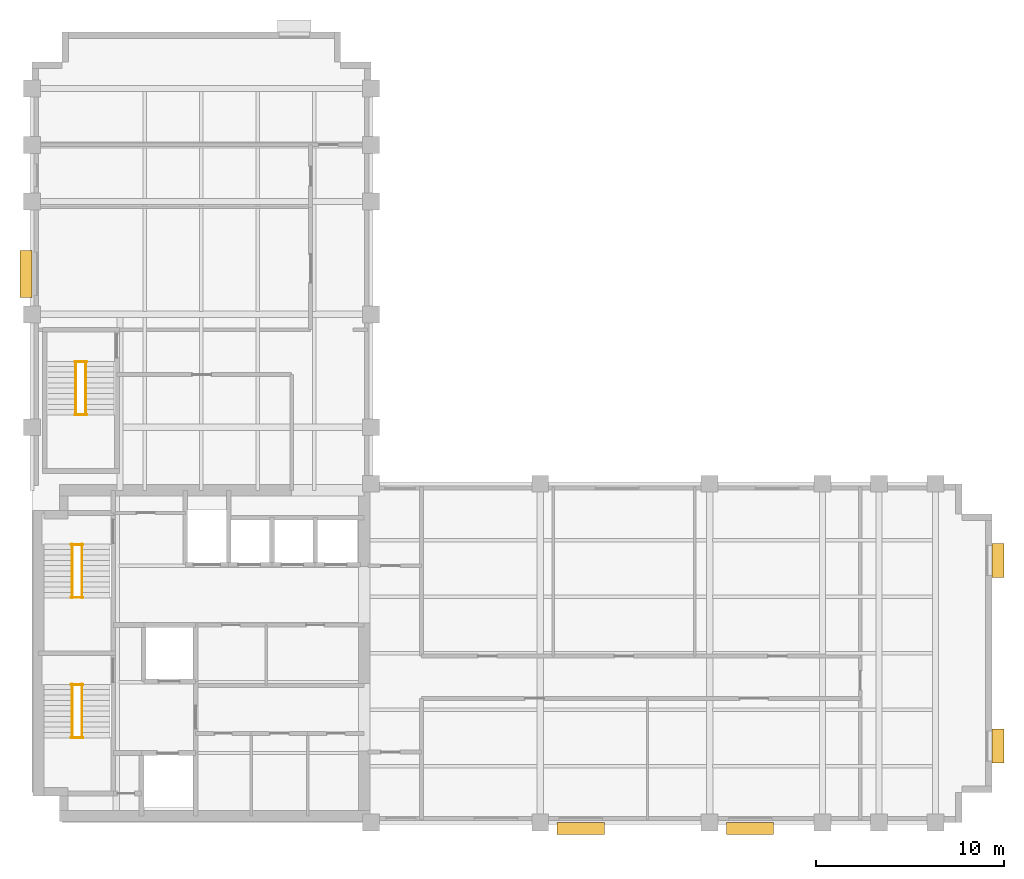
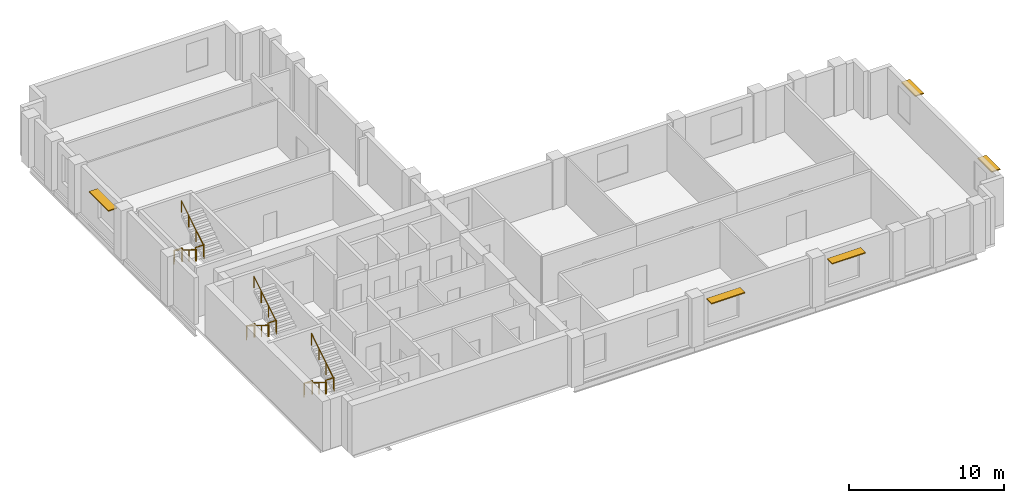
# One storey, part 6 of 7: 12 railings, 5 shading devices.
"""IFC4 building model written with IfcOpenShell, lengths in metres."""

from ifc_helpers import new_model, si_unit, direction, frame, origin, origin_2d, place, context, subcontext, project, spatial, rectangle, circle, extrude, material, layer, layer_set, type_object, element, save


model = new_model("IFC4")

# Units and contexts
model_context = context("Model", 3, precision=1e-05, world=origin(), true_north=direction((0.0, 1.0)))
body_context = subcontext(model_context, "Body", "Model", "MODEL_VIEW")
ifc_project = project(units=[si_unit("LENGTHUNIT", "METRE"), si_unit("AREAUNIT", "SQUARE_METRE"), si_unit("VOLUMEUNIT", "CUBIC_METRE"), si_unit("PLANEANGLEUNIT", "RADIAN"), si_unit("MASSUNIT", "GRAM", prefix="KILO")], contexts=[model_context])

# Site, building, storey
site_placement = place(None, origin())
site = spatial("IfcSite", under=ifc_project, at=site_placement, CompositionType="ELEMENT")
building_placement = place(site_placement, origin())
building = spatial("IfcBuilding", under=site, at=building_placement, Name="Mawjdan Bourse Tower", CompositionType="ELEMENT")
storey_placement = place(building_placement, frame((0.0, 0.0, 168.300048828125)))
storey = spatial("IfcBuildingStorey", under=building, at=storey_placement, Name="L40", CompositionType="ELEMENT", Elevation=168.300048828125)

# Railings
ifc_material_1 = material(Name="Structural Steel S355", Category="steel")
railing_type_1 = type_object("IfcRailingType", Name="RLG-GRD-1100", PredefinedType="GUARDRAIL", material=ifc_material_1)
for number, where, name in (
    (1, (8.090087890625, 7.52001953125, 1.949951171875), "L40 ST1 Landing Guardrail GL-MID"),
    (2, (8.090087890625, 10.330078125, 0.0), "L40 ST1 Landing Guardrail GL-BOT"),
    (3, (8.090087890625, 14.9599609375, 1.949951171875), "L40 ST2 Landing Guardrail GL-MID"),
    (4, (8.090087890625, 17.77001953125, 0.0), "L40 ST2 Landing Guardrail GL-BOT"),
    (5, (8.2900390625, 24.669921875, 1.949951171875), "L40 ST3 Landing Guardrail GL-MID"),
    (6, (8.2900390625, 27.47998046875, 0.0), "L40 ST3 Landing Guardrail GL-BOT"),
):
    element("IfcRailing", number, at=place(storey_placement, frame(where)), inside=storey, type_object=railing_type_1, Name=name, PredefinedType="GUARDRAIL", context=body_context, shape_type="SweptSolid", body=[
        extrude(circle(Radius=0.02490234375, at=origin_2d()), frame((0.0, 0.0, 1.0751953125), z_axis=(1.0, 0.0, 0.0), x_axis=(0.0, 1.0, 0.0)), (0.0, 0.0, 1.0), 0.619873046875),
        extrude(circle(Radius=0.02099609375, at=origin_2d()), origin(), (0.0, 0.0, 1.0), 1.050048828125),
        extrude(circle(Radius=0.02099609375, at=origin_2d()), frame((0.619873046875, 0.0, 0.0)), (0.0, 0.0, 1.0), 1.050048828125),
    ])
ifc_material_2 = material(Name="Brushed Stainless Steel", Category="steel")
railing_type_2 = type_object("IfcRailingType", Name="RLG-HND-920", PredefinedType="HANDRAIL", material=ifc_material_2)
railing_1_placement = place(storey_placement, frame((8.139892578125, 10.35009765625, 0.17724609375)))
element("IfcRailing", 7, at=railing_1_placement, inside=storey, type_object=railing_type_2, Name="L40 ST1 Flight Handrail HR1", PredefinedType="HANDRAIL", context=body_context, shape_type="SweptSolid", body=[
    extrude(circle(Radius=0.0224609375, at=origin_2d()), frame((0.0, 0.0, 0.8974609375), z_axis=(0.0, -0.849148672731, 0.528153890072), x_axis=(1.0, 0.0, 0.0)), (0.0, 0.0, 1.0), 3.3564453125),
    extrude(circle(Radius=0.01904296875, at=origin_2d()), origin(), (0.0, 0.0, 1.0), 0.875),
    extrude(circle(Radius=0.01904296875, at=origin_2d()), frame((0.0, -0.949951171875, 0.5908203125)), (0.0, 0.0, 1.0), 0.875),
    extrude(circle(Radius=0.01904296875, at=origin_2d()), frame((0.0, -1.900146484375, 1.181884765625)), (0.0, 0.0, 1.0), 0.875),
    extrude(circle(Radius=0.01904296875, at=origin_2d()), frame((0.0, -2.85009765625, 1.772705078125)), (0.0, 0.0, 1.0), 0.875),
])
railing_2_placement = place(storey_placement, frame((8.659912109375, 7.5, 2.127197265625)))
element("IfcRailing", 8, at=railing_2_placement, inside=storey, type_object=railing_type_2, Name="L40 ST1 Flight Handrail HR2", PredefinedType="HANDRAIL", context=body_context, shape_type="SweptSolid", body=[
    extrude(circle(Radius=0.0224609375, at=origin_2d()), frame((0.0, 0.0, 0.8974609375), z_axis=(0.0, 0.849148672731, 0.528153890072), x_axis=(-1.0, 0.0, 0.0)), (0.0, 0.0, 1.0), 3.3564453125),
    extrude(circle(Radius=0.01904296875, at=origin_2d()), origin(), (0.0, 0.0, 1.0), 0.875),
    extrude(circle(Radius=0.01904296875, at=origin_2d()), frame((0.0, 0.949951171875, 0.5908203125)), (0.0, 0.0, 1.0), 0.875),
    extrude(circle(Radius=0.01904296875, at=origin_2d()), frame((0.0, 1.900146484375, 1.181884765625)), (0.0, 0.0, 1.0), 0.875),
    extrude(circle(Radius=0.01904296875, at=origin_2d()), frame((0.0, 2.85009765625, 1.772705078125)), (0.0, 0.0, 1.0), 0.875),
])
railing_3_placement = place(storey_placement, frame((8.139892578125, 17.7900390625, 0.17724609375)))
element("IfcRailing", 9, at=railing_3_placement, inside=storey, type_object=railing_type_2, Name="L40 ST2 Flight Handrail HR1", PredefinedType="HANDRAIL", context=body_context, shape_type="SweptSolid", body=[
    extrude(circle(Radius=0.0224609375, at=origin_2d()), frame((0.0, 0.0, 0.8974609375), z_axis=(0.0, -0.849148672731, 0.528153890072), x_axis=(1.0, 0.0, 0.0)), (0.0, 0.0, 1.0), 3.3564453125),
    extrude(circle(Radius=0.01904296875, at=origin_2d()), origin(), (0.0, 0.0, 1.0), 0.875),
    extrude(circle(Radius=0.01904296875, at=origin_2d()), frame((0.0, -0.949951171875, 0.5908203125)), (0.0, 0.0, 1.0), 0.875),
    extrude(circle(Radius=0.01904296875, at=origin_2d()), frame((0.0, -1.900146484375, 1.181884765625)), (0.0, 0.0, 1.0), 0.875),
    extrude(circle(Radius=0.01904296875, at=origin_2d()), frame((0.0, -2.85009765625, 1.772705078125)), (0.0, 0.0, 1.0), 0.875),
])
railing_4_placement = place(storey_placement, frame((8.659912109375, 14.93994140625, 2.127197265625)))
element("IfcRailing", 10, at=railing_4_placement, inside=storey, type_object=railing_type_2, Name="L40 ST2 Flight Handrail HR2", PredefinedType="HANDRAIL", context=body_context, shape_type="SweptSolid", body=[
    extrude(circle(Radius=0.0224609375, at=origin_2d()), frame((0.0, 0.0, 0.8974609375), z_axis=(0.0, 0.849148672731, 0.528153890072), x_axis=(-1.0, 0.0, 0.0)), (0.0, 0.0, 1.0), 3.3564453125),
    extrude(circle(Radius=0.01904296875, at=origin_2d()), origin(), (0.0, 0.0, 1.0), 0.875),
    extrude(circle(Radius=0.01904296875, at=origin_2d()), frame((0.0, 0.949951171875, 0.5908203125)), (0.0, 0.0, 1.0), 0.875),
    extrude(circle(Radius=0.01904296875, at=origin_2d()), frame((0.0, 1.900146484375, 1.181884765625)), (0.0, 0.0, 1.0), 0.875),
    extrude(circle(Radius=0.01904296875, at=origin_2d()), frame((0.0, 2.85009765625, 1.772705078125)), (0.0, 0.0, 1.0), 0.875),
])
railing_5_placement = place(storey_placement, frame((8.340087890625, 27.5, 0.17724609375)))
element("IfcRailing", 11, at=railing_5_placement, inside=storey, type_object=railing_type_2, Name="L40 ST3 Flight Handrail HR1", PredefinedType="HANDRAIL", context=body_context, shape_type="SweptSolid", body=[
    extrude(circle(Radius=0.0224609375, at=origin_2d()), frame((0.0, 0.0, 0.8974609375), z_axis=(0.0, -0.849148672731, 0.528153890072), x_axis=(1.0, 0.0, 0.0)), (0.0, 0.0, 1.0), 3.3564453125),
    extrude(circle(Radius=0.01904296875, at=origin_2d()), origin(), (0.0, 0.0, 1.0), 0.875),
    extrude(circle(Radius=0.01904296875, at=origin_2d()), frame((0.0, -0.949951171875, 0.5908203125)), (0.0, 0.0, 1.0), 0.875),
    extrude(circle(Radius=0.01904296875, at=origin_2d()), frame((0.0, -1.900146484375, 1.181884765625)), (0.0, 0.0, 1.0), 0.875),
    extrude(circle(Radius=0.01904296875, at=origin_2d()), frame((0.0, -2.85009765625, 1.772705078125)), (0.0, 0.0, 1.0), 0.875),
])
railing_6_placement = place(storey_placement, frame((8.860107421875, 24.64990234375, 2.127197265625)))
element("IfcRailing", 12, at=railing_6_placement, inside=storey, type_object=railing_type_2, Name="L40 ST3 Flight Handrail HR2", PredefinedType="HANDRAIL", context=body_context, shape_type="SweptSolid", body=[
    extrude(circle(Radius=0.0224609375, at=origin_2d()), frame((0.0, 0.0, 0.8974609375), z_axis=(0.0, 0.849148672731, 0.528153890072), x_axis=(-1.0, 0.0, 0.0)), (0.0, 0.0, 1.0), 3.3564453125),
    extrude(circle(Radius=0.01904296875, at=origin_2d()), origin(), (0.0, 0.0, 1.0), 0.875),
    extrude(circle(Radius=0.01904296875, at=origin_2d()), frame((0.0, 0.949951171875, 0.5908203125)), (0.0, 0.0, 1.0), 0.875),
    extrude(circle(Radius=0.01904296875, at=origin_2d()), frame((0.0, 1.900146484375, 1.181884765625)), (0.0, 0.0, 1.0), 0.875),
    extrude(circle(Radius=0.01904296875, at=origin_2d()), frame((0.0, 2.85009765625, 1.772705078125)), (0.0, 0.0, 1.0), 0.875),
])

# Shading devices
ifc_material_3 = material(Name="Bronze Anodised Aluminium", Category="aluminium")
ifc_layer = layer(ifc_material_3, 0.074951171875)
ifc_layer_set = layer_set([ifc_layer], Name="Bronze Anodised Aluminium")
shading_device_type = type_object("IfcShadingDeviceType", Name="SHD-SUN-650", PredefinedType="USERDEFINED", material=ifc_layer_set)
for number, where, z_axis, x_axis, name in (
    (13, (35.14990234375, 2.695068359375, 3.10009765625), (0.0, 0.0, 1.0), (1.0, 0.0, 0.0), "L40 Solar Window Hood 02"),
    (14, (44.14990234375, 2.695068359375, 3.10009765625), (0.0, 0.0, 1.0), (1.0, 0.0, 0.0), "L40 Solar Window Hood 03"),
):
    element("IfcShadingDevice", number, at=place(storey_placement, frame(where, z_axis=z_axis, x_axis=x_axis)), inside=storey, type_object=shading_device_type, Name=name, ObjectType="SUNSHADE", PredefinedType="USERDEFINED", context=body_context, shape_type="SweptSolid", body=[
        extrude(rectangle(XDim=2.5, YDim=0.64990234375, at=origin_2d()), origin(), (0.0, 0.0, 1.0), 0.074951171875),
    ])
for number, where, z_axis, x_axis, name in (
    (15, (57.304931640625, 7.066650390625, 3.10009765625), (0.0, 0.0, 1.0), (0.0, 1.0, 0.0), "L40 Solar Window Hood 04"),
    (16, (57.304931640625, 16.933349609375, 3.10009765625), (0.0, 0.0, 1.0), (0.0, 1.0, 0.0), "L40 Solar Window Hood 05"),
):
    element("IfcShadingDevice", number, at=place(storey_placement, frame(where, z_axis=z_axis, x_axis=x_axis)), inside=storey, type_object=shading_device_type, Name=name, ObjectType="SUNSHADE", PredefinedType="USERDEFINED", context=body_context, shape_type="SweptSolid", body=[
        extrude(rectangle(XDim=1.800048828125, YDim=0.64990234375, at=origin_2d()), origin(), (0.0, 0.0, 1.0), 0.074951171875),
    ])
shading_device_placement = place(storey_placement, frame((5.695068359375, 32.14990234375, 3.10009765625), z_axis=(0.0, 0.0, 1.0), x_axis=(0.0, -1.0, 0.0)))
element("IfcShadingDevice", 17, at=shading_device_placement, inside=storey, type_object=shading_device_type, Name="L40 Solar Window Hood 08", ObjectType="SUNSHADE", PredefinedType="USERDEFINED", context=body_context, shape_type="SweptSolid", body=[
    extrude(rectangle(XDim=2.5, YDim=0.64990234375, at=origin_2d()), origin(), (0.0, 0.0, 1.0), 0.074951171875),
])

save(model, "model.ifc")
